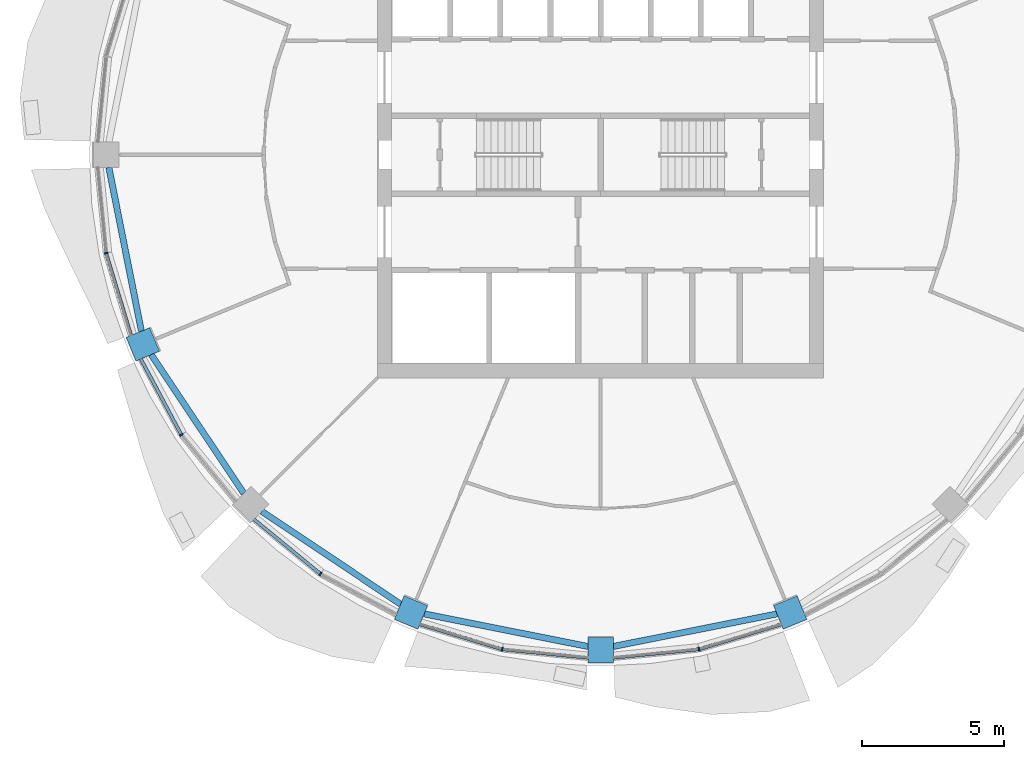
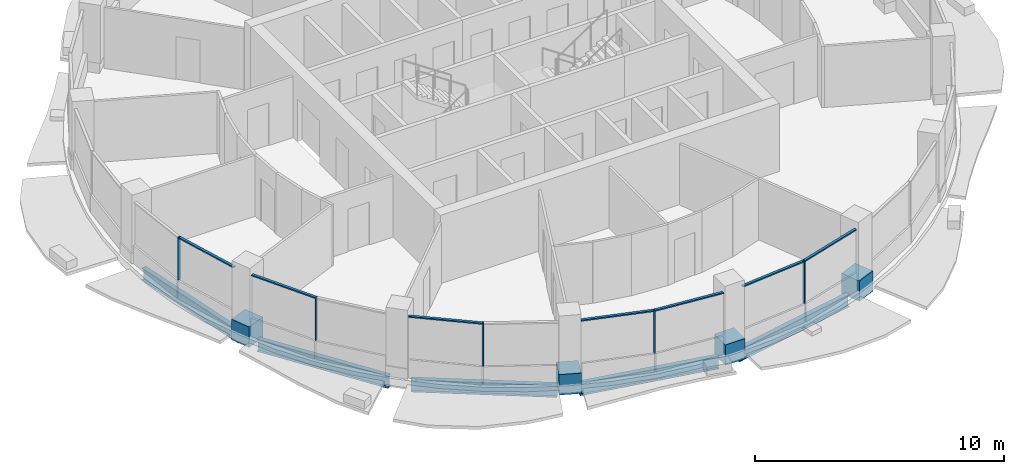
# One storey, part 2 of 15: 16 members, 5 beams, 5 elements without a shape of their own.
"""IFC4 building model written with IfcOpenShell, lengths in metres."""

import ifcopenshell
import ifcopenshell.guid

model = None  # the IFC model being written
_history = None  # IfcOwnerHistory: only IFC2X3 demands one
_inside = {}  # id of a spatial element -> (the spatial element, [elements in it])
_under = {}  # id of a project, library or spatial element -> (it, [spatial elements below it])
_declared = {}  # id of a project -> (the project, [libraries it declares])
_typed = {}  # id of a type object -> (the type object, [elements of that type])
_made_of = {}  # id of a material, layer set ... -> (it, [elements and type objects made of it])


def new_model(schema):
    """Start an empty IFC model of exactly this schema.

    Asked for "IFC4X3", IfcOpenShell would pick the latest addendum, in which some entities
    have other attributes; the version numbers below select the first issue.
    IFC2X3 requires an IfcOwnerHistory on every rooted entity: one is made here for all.
    """
    global model, _history
    if schema == "IFC4X3":
        model = ifcopenshell.file(schema_version=(4, 3, 0, 0))
    else:
        model = ifcopenshell.file(schema=schema)
    _inside.clear()
    _under.clear()
    _declared.clear()
    _typed.clear()
    _made_of.clear()
    _history = None
    if model.schema == "IFC2X3":
        org = make("IfcOrganization", Name="unknown")
        user = make(
            "IfcPersonAndOrganization",
            ThePerson=make("IfcPerson", FamilyName="unknown"),
            TheOrganization=org,
        )
        app = make(
            "IfcApplication",
            ApplicationDeveloper=org,
            Version="unknown",
            ApplicationFullName="unknown",
            ApplicationIdentifier="unknown",
        )
        _history = make(
            "IfcOwnerHistory",
            OwningUser=user,
            OwningApplication=app,
            ChangeAction="ADDED",
            CreationDate=0,
        )
    return model


def make(cls, **values):
    """One entity of the class cls with the attributes given. An attribute that is None is left unset."""
    return model.create_entity(
        cls, **{name: value for name, value in values.items() if value is not None}
    )


def rooted(cls, **values):
    """An entity with a GlobalId (a new one), such as an element, a storey or a relation."""
    return make(cls, GlobalId=ifcopenshell.guid.new(), OwnerHistory=_history, **values)


def si_unit(unit_type, name, prefix=None):
    """IfcSIUnit, for example si_unit("LENGTHUNIT", "METRE", prefix="MILLI")."""
    return make("IfcSIUnit", UnitType=unit_type, Prefix=prefix, Name=name)


def assignment(units):
    """IfcUnitAssignment: the units of a project."""
    return None if units is None else make("IfcUnitAssignment", Units=units)


def point(xyz):
    """IfcCartesianPoint."""
    return None if xyz is None else make("IfcCartesianPoint", Coordinates=xyz)


def direction(xyz):
    """IfcDirection."""
    return None if xyz is None else make("IfcDirection", DirectionRatios=xyz)


def frame(location, z_axis=None, x_axis=None):
    """IfcAxis2Placement3D, a coordinate frame: its origin and axes. An axis left out is left unset."""
    return make(
        "IfcAxis2Placement3D",
        Location=point(location),
        Axis=direction(z_axis),
        RefDirection=direction(x_axis),
    )


def frame_2d(location, x_axis=None):
    """IfcAxis2Placement2D, a coordinate frame in the plane: its origin and x axis."""
    return make(
        "IfcAxis2Placement2D", Location=point(location), RefDirection=direction(x_axis)
    )


def origin():
    """The frame at (0, 0, 0) with its axes left unset."""
    return frame((0.0, 0.0, 0.0))


def origin_2d():
    """The frame at (0, 0) in the plane with its x axis left unset."""
    return frame_2d((0.0, 0.0))


def place(relative_to, where):
    """IfcLocalPlacement: puts the frame where relative to a parent placement (None: the world)."""
    return make(
        "IfcLocalPlacement", PlacementRelTo=relative_to, RelativePlacement=where
    )


def context(
    kind, dimensions, precision=None, world=None, true_north=None, identifier=None
):
    """IfcGeometricRepresentationContext, for example the 3D "Model" context."""
    return make(
        "IfcGeometricRepresentationContext",
        ContextIdentifier=identifier,
        ContextType=kind,
        CoordinateSpaceDimension=dimensions,
        Precision=precision,
        WorldCoordinateSystem=world,
        TrueNorth=true_north,
    )


def subcontext(parent, identifier, kind, view, scale=None):
    """IfcGeometricRepresentationSubContext, for example "Body" below "Model"."""
    return make(
        "IfcGeometricRepresentationSubContext",
        ContextIdentifier=identifier,
        ContextType=kind,
        ParentContext=parent,
        TargetScale=scale,
        TargetView=view,
    )


def project(units=None, contexts=None):
    """IfcProject with its units and contexts."""
    return rooted(
        "IfcProject",
        Name="project",
        RepresentationContexts=contexts,
        UnitsInContext=assignment(units),
    )


def spatial(cls, under=None, at=None, **own):
    """A site, building, storey or space (cls), placed at a placement, below another one or the project."""
    s = rooted(cls, ObjectPlacement=at, **own)
    if under is not None:
        _under.setdefault(under.id(), (under, []))[1].append(s)
    return s


def profile(cls, at=None, kind="AREA", **sizes):
    """A parametric profile (cls). Its sizes go by their IFC names, for example OverallWidth=200.0."""
    return make(cls, ProfileType=kind, Position=at, **sizes)


def rectangle(**sizes):
    """IfcRectangleProfileDef."""
    return profile("IfcRectangleProfileDef", **sizes)


def i_section(**sizes):
    """IfcIShapeProfileDef."""
    return profile("IfcIShapeProfileDef", **sizes)


def extrude(swept, where, along, depth):
    """IfcExtrudedAreaSolid: the profile swept, set in the frame where, extruded along a direction by depth."""
    return make(
        "IfcExtrudedAreaSolid",
        SweptArea=swept,
        Position=where,
        ExtrudedDirection=direction(along),
        Depth=depth,
    )


def shape(context_of_items, identifier, shape_type, items):
    """IfcShapeRepresentation: the items that make up one representation, for example the "Body"."""
    return make(
        "IfcShapeRepresentation",
        ContextOfItems=context_of_items,
        RepresentationIdentifier=identifier,
        RepresentationType=shape_type,
        Items=items,
    )


def material(Name=None, Category=None):
    """IfcMaterial."""
    return make("IfcMaterial", Name=Name, Category=Category)


def material_profile(
    of_material, cross_section, Name=None, Category=None, Priority=None
):
    """IfcMaterialProfile: a cross section and its material."""
    return make(
        "IfcMaterialProfile",
        Name=Name,
        Material=of_material,
        Profile=cross_section,
        Priority=Priority,
        Category=Category,
    )


def profile_set(profiles, Name=None, composite=None):
    """IfcMaterialProfileSet."""
    return make(
        "IfcMaterialProfileSet",
        Name=Name,
        MaterialProfiles=profiles,
        CompositeProfile=composite,
    )


def made_of(thing, what):
    """Note that an element or type object is made of a material, layer set ...; save() writes the relation."""
    if what is not None:
        _made_of.setdefault(what.id(), (what, []))[1].append(thing)
    return thing


def type_object(cls, material=None, **own):
    """A type object (cls), such as IfcWallType, which elements share."""
    return made_of(rooted(cls, **own), material)


def element(
    cls,
    number,
    at=None,
    inside=None,
    cuts=None,
    type_object=None,
    material=None,
    context=None,
    identifier="Body",
    shape_type=None,
    held_by="IfcProductDefinitionShape",
    body=None,
    shapes=None,
    **own,
):
    """One element of the class cls, such as IfcWall. Its Tag is "e" and its number.

    at: its placement. inside: the storey or other place that contains it. cuts: it is an
    opening in that element (IfcRelVoidsElement). A single representation is given by context,
    identifier, shape_type and body (its items); several are given by shapes. held_by: the class
    of the entity that holds the representations. save() writes the other relations.
    """
    e = rooted(cls, Tag="e%d" % number, ObjectPlacement=at, **own)
    if body is not None:
        shapes = [shape(context, identifier, shape_type, body)]
    if shapes is not None:
        e.Representation = make(held_by, Representations=shapes)
    if inside is not None:
        _inside.setdefault(inside.id(), (inside, []))[1].append(e)
    if cuts is not None:
        rooted(
            "IfcRelVoidsElement", RelatingBuildingElement=cuts, RelatedOpeningElement=e
        )
    if type_object is not None:
        _typed.setdefault(type_object.id(), (type_object, []))[1].append(e)
    return made_of(e, material)


def aggregate(whole, parts):
    """IfcRelAggregates: a whole, such as a stair, and the parts it consists of."""
    return rooted("IfcRelAggregates", RelatingObject=whole, RelatedObjects=parts)


def save(model, path):
    """Write the relations noted so far, then the file.

    IfcRelAggregates (storeys below a building ...), IfcRelContainedInSpatialStructure (elements
    in a storey), IfcRelDefinesByType, IfcRelAssociatesMaterial and IfcRelDeclares: one each for
    every whole, place, type object, material and project.
    """
    for whole, parts in _under.values():
        aggregate(whole, parts)
    for where, things in _inside.values():
        rooted(
            "IfcRelContainedInSpatialStructure",
            RelatedElements=things,
            RelatingStructure=where,
        )
    for kind, things in _typed.values():
        rooted("IfcRelDefinesByType", RelatedObjects=things, RelatingType=kind)
    for what, things in _made_of.values():
        rooted("IfcRelAssociatesMaterial", RelatedObjects=things, RelatingMaterial=what)
    for by, libraries in _declared.values():
        rooted("IfcRelDeclares", RelatingContext=by, RelatedDefinitions=libraries)
    model.write(path)


model = new_model("IFC4")

# Units and contexts
model_context = context("Model", 3, precision=1e-05, world=origin(), true_north=direction((0.0, 1.0)))
body_context = subcontext(model_context, "Body", "Model", "MODEL_VIEW")
ifc_project = project(units=[si_unit("LENGTHUNIT", "METRE"), si_unit("AREAUNIT", "SQUARE_METRE"), si_unit("VOLUMEUNIT", "CUBIC_METRE"), si_unit("PLANEANGLEUNIT", "RADIAN"), si_unit("MASSUNIT", "GRAM", prefix="KILO")], contexts=[model_context])

# Site, building, storey
site_placement = place(None, origin())
site = spatial("IfcSite", under=ifc_project, at=site_placement, CompositionType="ELEMENT")
building_placement = place(site_placement, origin())
building = spatial("IfcBuilding", under=site, at=building_placement, Name="Polderwave Tower", CompositionType="ELEMENT")
storey_placement = place(building_placement, frame((0.0, 0.0, 187.64990234375)))
storey = spatial("IfcBuildingStorey", under=building, at=storey_placement, Name="L50", CompositionType="ELEMENT", Elevation=187.64990234375)

# Curtain wall, member
ifc_material_1 = material(Name="Aluminium 6063-T6 and glass", Category="aluminium")
curtain_wall_type = type_object("IfcCurtainWallType", Name="Office ribbon glazing wall", PredefinedType="NOTDEFINED", material=ifc_material_1)
curtain_wall_1_placement = place(storey_placement, origin())
curtain_wall_1 = element("IfcCurtainWall", 1, at=curtain_wall_1_placement, inside=storey, type_object=curtain_wall_type, Name="CW3 L50 08", PredefinedType="NOTDEFINED")
ifc_material_2 = material(Name="Aluminium 6063-T6", Category="aluminium")
ifc_material_profile_1 = material_profile(ifc_material_2, rectangle(XDim=0.139892578125, YDim=0.054931640625, at=origin_2d()), Name="AL 55x140")
ifc_profile_set_1 = profile_set([ifc_material_profile_1], Name="Aluminium 6063-T6")
member_type_1 = type_object("IfcMemberType", Name="Office ribbon glazing mullion 55x140", PredefinedType="MULLION", material=ifc_profile_set_1)
member_1_placement = place(storey_placement, frame((-17.4580078125, -3.472900390625, 0.900146484375), z_axis=(0.0, 0.0, 1.0), x_axis=(0.980762460409, 0.195205010829, 0.0)))
member_1 = element("IfcMember", 2, at=member_1_placement, type_object=member_type_1, Name="CW3 mullion 1", PredefinedType="MULLION", context=body_context, shape_type="SweptSolid", body=[
    extrude(rectangle(XDim=0.139892578125, YDim=0.054931640625, at=origin_2d()), origin(), (0.0, 0.0, 1.0), 2.099853515625),
])

curtain_wall_2_placement = place(storey_placement, origin())
curtain_wall_2 = element("IfcCurtainWall", 3, at=curtain_wall_2_placement, inside=storey, type_object=curtain_wall_type, Name="CW3 L50 09", PredefinedType="NOTDEFINED")
member_2_placement = place(storey_placement, frame((-14.800048828125, -9.888916015625, 0.900146484375), z_axis=(0.0, 0.0, 1.0), x_axis=(0.831419186923, 0.55564569252, 0.0)))
member_2 = element("IfcMember", 4, at=member_2_placement, type_object=member_type_1, Name="CW3 mullion 1", PredefinedType="MULLION", context=body_context, shape_type="SweptSolid", body=[
    extrude(rectangle(XDim=0.139892578125, YDim=0.054931640625, at=origin_2d()), origin(), (0.0, 0.0, 1.0), 2.099853515625),
])

curtain_wall_3_placement = place(storey_placement, origin())
curtain_wall_3 = element("IfcCurtainWall", 5, at=curtain_wall_3_placement, inside=storey, type_object=curtain_wall_type, Name="CW3 L50 10", PredefinedType="NOTDEFINED")
member_3_placement = place(storey_placement, frame((-9.888916015625, -14.800048828125, 0.900146484375), z_axis=(0.0, 0.0, 1.0), x_axis=(0.55564569252, 0.831419186923, 0.0)))
member_3 = element("IfcMember", 6, at=member_3_placement, type_object=member_type_1, Name="CW3 mullion 1", PredefinedType="MULLION", context=body_context, shape_type="SweptSolid", body=[
    extrude(rectangle(XDim=0.139892578125, YDim=0.054931640625, at=origin_2d()), origin(), (0.0, 0.0, 1.0), 2.099853515625),
])

curtain_wall_4_placement = place(storey_placement, origin())
curtain_wall_4 = element("IfcCurtainWall", 7, at=curtain_wall_4_placement, inside=storey, type_object=curtain_wall_type, Name="CW3 L50 11", PredefinedType="NOTDEFINED")
member_4_placement = place(storey_placement, frame((-3.472900390625, -17.4580078125, 0.900146484375), z_axis=(0.0, 0.0, 1.0), x_axis=(0.195205010829, 0.980762460409, 0.0)))
member_4 = element("IfcMember", 8, at=member_4_placement, type_object=member_type_1, Name="CW3 mullion 1", PredefinedType="MULLION", context=body_context, shape_type="SweptSolid", body=[
    extrude(rectangle(XDim=0.139892578125, YDim=0.054931640625, at=origin_2d()), origin(), (0.0, 0.0, 1.0), 2.099853515625),
])

curtain_wall_5_placement = place(storey_placement, origin())
curtain_wall_5 = element("IfcCurtainWall", 9, at=curtain_wall_5_placement, inside=storey, type_object=curtain_wall_type, Name="CW3 L50 12", PredefinedType="NOTDEFINED")
member_5_placement = place(storey_placement, frame((3.472900390625, -17.4580078125, 0.900146484375), z_axis=(0.0, 0.0, 1.0), x_axis=(-0.195205010829, 0.980762460409, 0.0)))
member_5 = element("IfcMember", 10, at=member_5_placement, type_object=member_type_1, Name="CW3 mullion 1", PredefinedType="MULLION", context=body_context, shape_type="SweptSolid", body=[
    extrude(rectangle(XDim=0.139892578125, YDim=0.054931640625, at=origin_2d()), origin(), (0.0, 0.0, 1.0), 2.099853515625),
])

# Member
ifc_material_profile_2 = material_profile(ifc_material_2, rectangle(XDim=0.1201171875, YDim=0.06005859375, at=origin_2d()), Name="AL 60x120")
ifc_profile_set_2 = profile_set([ifc_material_profile_2], Name="Aluminium 6063-T6")
member_type_2 = type_object("IfcMemberType", Name="Office ribbon glazing transom 60x120", PredefinedType="USERDEFINED", material=ifc_profile_set_2)
member_6_placement = place(storey_placement, frame((-17.449951171875, -3.499267578125, 2.97021484375), z_axis=(0.290435177237, -0.956894669137, 0.0), x_axis=(0.956894669137, 0.290435177237, 0.0)))
member_6 = element("IfcMember", 11, at=member_6_placement, type_object=member_type_2, Name="CW3 transom 2", ObjectType="TRANSOM", PredefinedType="USERDEFINED", context=body_context, shape_type="SweptSolid", body=[
    extrude(rectangle(XDim=0.1201171875, YDim=0.06005859375, at=origin_2d()), origin(), (0.0, 0.0, 1.0), 3.00927734375),
])

aggregate(curtain_wall_1, [member_1, member_6])

member_7_placement = place(storey_placement, frame((-16.23193359375, -7.2109375, 2.97021484375), z_axis=(0.471514347904, -0.881858389834, 0.0), x_axis=(0.881858389834, 0.471514347904, 0.0)))
member_7 = element("IfcMember", 12, at=member_7_placement, type_object=member_type_2, Name="CW3 transom 1", ObjectType="TRANSOM", PredefinedType="USERDEFINED", context=body_context, shape_type="SweptSolid", body=[
    extrude(rectangle(XDim=0.1201171875, YDim=0.06005859375, at=origin_2d()), origin(), (0.0, 0.0, 1.0), 3.00927734375),
])

aggregate(curtain_wall_2, [member_2, member_7])

member_8_placement = place(storey_placement, frame((-12.237060546875, -12.873046875, 2.97021484375), z_axis=(0.772973416151, -0.634438411451, 0.0), x_axis=(0.634438411451, 0.772973416151, 0.0)))
member_8 = element("IfcMember", 13, at=member_8_placement, type_object=member_type_2, Name="CW3 transom 1", ObjectType="TRANSOM", PredefinedType="USERDEFINED", context=body_context, shape_type="SweptSolid", body=[
    extrude(rectangle(XDim=0.1201171875, YDim=0.06005859375, at=origin_2d()), origin(), (0.0, 0.0, 1.0), 3.010009765625),
])

aggregate(curtain_wall_3, [member_3, member_8])

member_9_placement = place(storey_placement, frame((-6.37890625, -16.575927734375, 2.97021484375), z_axis=(0.956894669137, -0.290435177237, 0.0), x_axis=(0.290435177237, 0.956894669137, 0.0)))
member_9 = element("IfcMember", 14, at=member_9_placement, type_object=member_type_2, Name="CW3 transom 1", ObjectType="TRANSOM", PredefinedType="USERDEFINED", context=body_context, shape_type="SweptSolid", body=[
    extrude(rectangle(XDim=0.1201171875, YDim=0.06005859375, at=origin_2d()), origin(), (0.0, 0.0, 1.0), 3.00927734375),
])

member_10_placement = place(storey_placement, frame((-3.445556640625, -17.460693359375, 2.97021484375), z_axis=(0.995172769084, -0.098138471931, 0.0), x_axis=(0.098138471931, 0.995172769084, 0.0)))
member_10 = element("IfcMember", 15, at=member_10_placement, type_object=member_type_2, Name="CW3 transom 2", ObjectType="TRANSOM", PredefinedType="USERDEFINED", context=body_context, shape_type="SweptSolid", body=[
    extrude(rectangle(XDim=0.1201171875, YDim=0.06005859375, at=origin_2d()), origin(), (0.0, 0.0, 1.0), 3.01025390625),
])

aggregate(curtain_wall_4, [member_4, member_9, member_10])

member_11_placement = place(storey_placement, frame((0.449951171875, -17.756103515625, 2.97021484375), z_axis=(0.995172769084, 0.098138471931, 0.0), x_axis=(-0.098138471931, 0.995172769084, 0.0)))
member_11 = element("IfcMember", 16, at=member_11_placement, type_object=member_type_2, Name="CW3 transom 1", ObjectType="TRANSOM", PredefinedType="USERDEFINED", context=body_context, shape_type="SweptSolid", body=[
    extrude(rectangle(XDim=0.1201171875, YDim=0.06005859375, at=origin_2d()), origin(), (0.0, 0.0, 1.0), 3.01025390625),
])

member_12_placement = place(storey_placement, frame((3.499267578125, -17.449951171875, 2.97021484375), z_axis=(0.956894669137, 0.290435177237, 0.0), x_axis=(-0.290435177237, 0.956894669137, 0.0)))
member_12 = element("IfcMember", 17, at=member_12_placement, type_object=member_type_2, Name="CW3 transom 2", ObjectType="TRANSOM", PredefinedType="USERDEFINED", context=body_context, shape_type="SweptSolid", body=[
    extrude(rectangle(XDim=0.1201171875, YDim=0.06005859375, at=origin_2d()), origin(), (0.0, 0.0, 1.0), 3.00927734375),
])

aggregate(curtain_wall_5, [member_5, member_11, member_12])

# Members
ifc_material_3 = material(Name="Concrete C60/75", Category="concrete")
ifc_material_profile_3 = material_profile(ifc_material_3, rectangle(XDim=0.89990234375, YDim=0.89990234375, at=origin_2d()), Name="RC 900x900")
ifc_profile_set_3 = profile_set([ifc_material_profile_3], Name="Concrete C60/75")
member_type_3 = type_object("IfcMemberType", Name="RC NODE 900x900 C60/75", PredefinedType="POST", material=ifc_profile_set_3)
for number, where, z_axis, x_axis, name in (
    (18, (-16.160888671875, -6.694091796875, -0.5), (0.0, 0.0, 1.0), (-0.923879532511, -0.382683432365, 0.0), "Ring column node 10"),
    (19, (-6.694091796875, -16.160888671875, -0.5), (0.0, 0.0, 1.0), (-0.382683432365, -0.923879532511, 0.0), "Ring column node 12"),
    (20, (0.0, -17.492431640625, -0.5), (0.0, 0.0, 1.0), (0.0, -1.0, 0.0), "Ring column node 13"),
    (21, (6.694091796875, -16.160888671875, -0.5), (0.0, 0.0, 1.0), (0.382683432365, -0.923879532511, 0.0), "Ring column node 14"),
):
    element("IfcMember", number, at=place(storey_placement, frame(where, z_axis=z_axis, x_axis=x_axis)), inside=storey, type_object=member_type_3, Name=name, PredefinedType="POST", context=body_context, shape_type="SweptSolid", body=[
        extrude(rectangle(XDim=0.89990234375, YDim=0.89990234375, at=origin_2d()), origin(), (0.0, 0.0, 1.0), 1.0),
    ])

# Beams
ifc_material_4 = material(Name="Steel S355", Category="steel")
ifc_material_profile_4 = material_profile(ifc_material_4, i_section(OverallWidth=0.219970703125, OverallDepth=0.60009765625, WebThickness=0.011962890625, FlangeThickness=0.01904296875, at=origin_2d()), Name="IPE 600")
ifc_profile_set_4 = profile_set([ifc_material_profile_4], Name="Steel S355")
beam_type = type_object("IfcBeamType", Name="RING BEAM IPE 600", PredefinedType="BEAM", material=ifc_profile_set_4)
beam_placement = place(storey_placement, frame((-17.360595703125, -0.449951171875, -0.64990234375), z_axis=(0.195111845788, -0.980780998813, 0.0), x_axis=(0.980780998813, 0.195111845788, 0.0)))
element("IfcBeam", 22, at=beam_placement, inside=storey, type_object=beam_type, Name="ST-RB-L50-08", PredefinedType="BEAM", context=body_context, shape_type="SweptSolid", body=[
    extrude(i_section(OverallWidth=0.219970703125, OverallDepth=0.60009765625, WebThickness=0.011962890625, FlangeThickness=0.01904296875, at=origin_2d()), origin(), (0.0, 0.0, 1.0), 5.89111328125),
])
for number, where, z_axis, x_axis, name in (
    (23, (-15.86669921875, -7.059326171875, -0.64990234375), (0.555551093196, -0.831482400805, 0.0), (0.831482400805, 0.555551093196, 0.0), "ST-RB-L50-09"),
    (24, (-11.95751953125, -12.593994140625, -0.64990234375), (0.831482400805, -0.555551093196, 0.0), (0.555551093196, 0.831482400805, 0.0), "ST-RB-L50-10"),
):
    element("IfcBeam", number, at=place(storey_placement, frame(where, z_axis=z_axis, x_axis=x_axis)), inside=storey, type_object=beam_type, Name=name, PredefinedType="BEAM", context=body_context, shape_type="SweptSolid", body=[
        extrude(i_section(OverallWidth=0.219970703125, OverallDepth=0.60009765625, WebThickness=0.011962890625, FlangeThickness=0.01904296875, at=origin_2d()), origin(), (0.0, 0.0, 1.0), 5.890869140625),
    ])
for number, where, z_axis, x_axis, name in (
    (25, (-6.227783203125, -16.211181640625, -0.64990234375), (0.980780998813, -0.195111845788, 0.0), (0.195111845788, 0.980780998813, 0.0), "ST-RB-L50-11"),
    (26, (0.449951171875, -17.360595703125, -0.64990234375), (0.980780998813, 0.195111845788, 0.0), (-0.195111845788, 0.980780998813, 0.0), "ST-RB-L50-12"),
):
    element("IfcBeam", number, at=place(storey_placement, frame(where, z_axis=z_axis, x_axis=x_axis)), inside=storey, type_object=beam_type, Name=name, PredefinedType="BEAM", context=body_context, shape_type="SweptSolid", body=[
        extrude(i_section(OverallWidth=0.219970703125, OverallDepth=0.60009765625, WebThickness=0.011962890625, FlangeThickness=0.01904296875, at=origin_2d()), origin(), (0.0, 0.0, 1.0), 5.89111328125),
    ])

save(model, "model.ifc")
